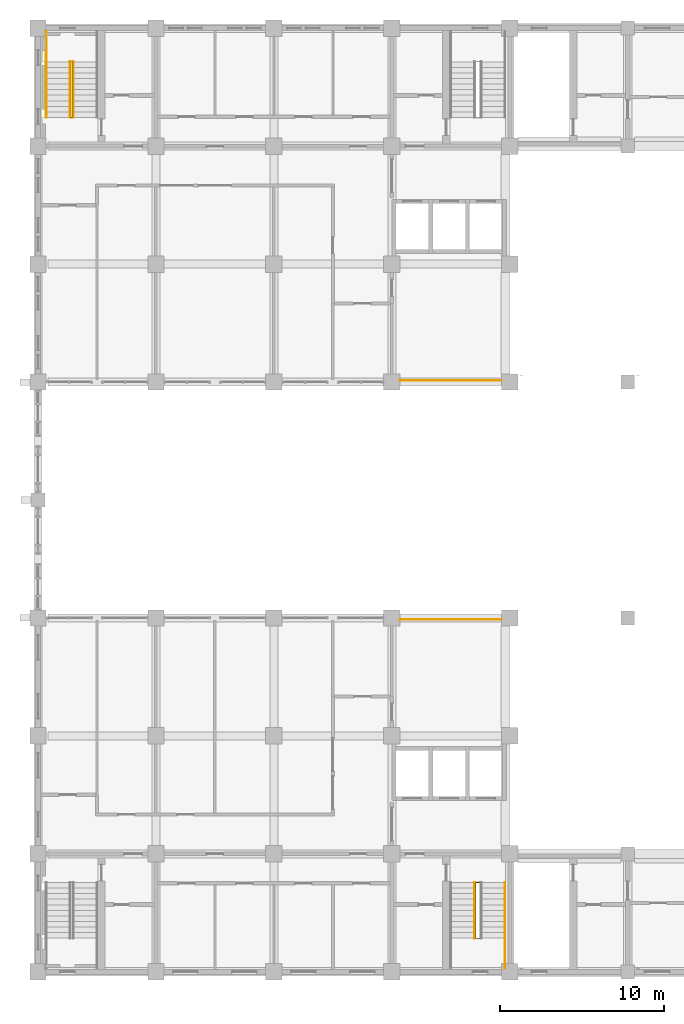
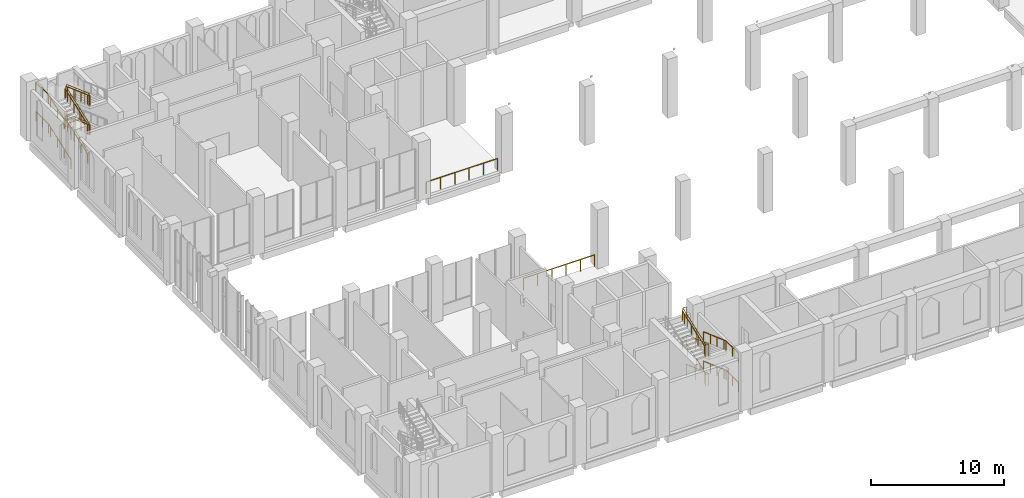
# One storey, part 45 of 48: 13 railings.
"""IFC4 building model written with IfcOpenShell, lengths in metres."""

from ifc_helpers import new_model, si_unit, direction, frame, origin, origin_2d, place, context, subcontext, project, spatial, circle, extrude, material, type_object, element, save


model = new_model("IFC4")

# Units and contexts
model_context = context("Model", 3, precision=1e-05, world=origin(), true_north=direction((0.0, 1.0)))
body_context = subcontext(model_context, "Body", "Model", "MODEL_VIEW")
ifc_project = project(units=[si_unit("LENGTHUNIT", "METRE"), si_unit("AREAUNIT", "SQUARE_METRE"), si_unit("VOLUMEUNIT", "CUBIC_METRE"), si_unit("PLANEANGLEUNIT", "RADIAN"), si_unit("MASSUNIT", "GRAM", prefix="KILO")], contexts=[model_context])

# Site, building, storey
site_placement = place(None, origin())
site = spatial("IfcSite", under=ifc_project, at=site_placement, CompositionType="ELEMENT")
building_placement = place(site_placement, origin())
building = spatial("IfcBuilding", under=site, at=building_placement, Name="Silangan Lancet Faculty of Sciences", CompositionType="ELEMENT")
storey_placement = place(building_placement, frame((0.0, 0.0, 6.0)))
storey = spatial("IfcBuildingStorey", under=building, at=storey_placement, Name="L01", CompositionType="ELEMENT", Elevation=6.0)

# Railings
ifc_material_1 = material(Name="Steel balustrade", Category="steel")
railing_type_1 = type_object("IfcRailingType", Name="ATRIUM GUARD 1100", PredefinedType="GUARDRAIL", material=ifc_material_1)
for number, where, name in (
    (1, (22.10009765625, 21.5, 0.0), "GUARD-ATR-L01-S1"),
    (2, (22.10009765625, 36.10009765625, 0.0), "GUARD-ATR-L01-N2"),
):
    element("IfcRailing", number, at=place(storey_placement, frame(where)), inside=storey, type_object=railing_type_1, Name=name, PredefinedType="GUARDRAIL", context=body_context, shape_type="SweptSolid", body=[
        extrude(circle(Radius=0.02392578125, at=origin_2d()), frame((0.0, 0.0, 1.076171875), z_axis=(1.0, 0.0, 0.0), x_axis=(0.0, 1.0, 0.0)), (0.0, 0.0, 1.0), 6.199951171875),
        extrude(circle(Radius=0.02099609375, at=origin_2d()), origin(), (0.0, 0.0, 1.0), 1.052001953125),
        extrude(circle(Radius=0.02099609375, at=origin_2d()), frame((1.239990234375, 0.0, 0.0)), (0.0, 0.0, 1.0), 1.052001953125),
        extrude(circle(Radius=0.02099609375, at=origin_2d()), frame((2.47998046875, 0.0, 0.0)), (0.0, 0.0, 1.0), 1.052001953125),
        extrude(circle(Radius=0.02099609375, at=origin_2d()), frame((3.719970703125, 0.0, 0.0)), (0.0, 0.0, 1.0), 1.052001953125),
        extrude(circle(Radius=0.02099609375, at=origin_2d()), frame((4.9599609375, 0.0, 0.0)), (0.0, 0.0, 1.0), 1.052001953125),
        extrude(circle(Radius=0.02099609375, at=origin_2d()), frame((6.199951171875, 0.0, 0.0)), (0.0, 0.0, 1.0), 1.052001953125),
    ])
ifc_material_2 = material(Name="Steel balustrade", Category="steel")
railing_type_2 = type_object("IfcRailingType", Name="STAIR GUARD 1100", PredefinedType="GUARDRAIL", material=ifc_material_2)
railing_1_placement = place(storey_placement, frame((2.0, 52.14990234375, 0.122802734375)))
element("IfcRailing", 3, at=railing_1_placement, inside=storey, type_object=railing_type_2, Name="GUARD-NT-A-L01", PredefinedType="GUARDRAIL", context=body_context, shape_type="SweptSolid", body=[
    extrude(circle(Radius=0.02392578125, at=origin_2d()), frame((0.0, 0.0, 1.076171875), z_axis=(0.0, 0.940621302891, 0.339457750756), x_axis=(-1.0, 0.0, 0.0)), (0.0, 0.0, 1.0), 2.891845703125),
    extrude(circle(Radius=0.02392578125, at=origin_2d()), frame((0.0, 2.72021484375, 2.0576171875), z_axis=(0.0, 0.940520931127, 0.339735747474), x_axis=(-1.0, 0.0, 0.0)), (0.0, 0.0, 1.0), 0.722900390625),
    extrude(circle(Radius=0.02392578125, at=origin_2d()), frame((0.0, 3.400146484375, 2.30322265625), z_axis=(1.0, 0.0, 0.0), x_axis=(0.0, 1.0, 0.0)), (0.0, 0.0, 1.0), 0.10009765625),
    extrude(circle(Radius=0.02392578125, at=origin_2d()), frame((0.10009765625, 3.400146484375, 2.30322265625), z_axis=(0.0, 0.0, 1.0), x_axis=(1.0, 0.0, 0.0)), (0.0, 0.0, 1.0), 0.12255859375),
    extrude(circle(Radius=0.02392578125, at=origin_2d()), frame((0.10009765625, 3.400146484375, 2.42578125), z_axis=(0.0, -0.940584611748, 0.339559402967), x_axis=(1.0, 0.0, 0.0)), (0.0, 0.0, 1.0), 2.891845703125),
    extrude(circle(Radius=0.02392578125, at=origin_2d()), frame((0.10009765625, 0.68017578125, 3.40771484375), z_axis=(0.0, -0.940667699839, 0.33932915949), x_axis=(1.0, 0.0, 0.0)), (0.0, 0.0, 1.0), 0.72314453125),
    extrude(circle(Radius=0.02392578125, at=origin_2d()), frame((0.10009765625, 0.0, 3.6533203125), z_axis=(-1.0, 0.0, 0.0), x_axis=(0.0, -1.0, 0.0)), (0.0, 0.0, 1.0), 0.10009765625),
    extrude(circle(Radius=0.02392578125, at=origin_2d()), frame((0.0, 0.0, 3.6533203125), z_axis=(0.0, 0.0, 1.0), x_axis=(1.0, 0.0, 0.0)), (0.0, 0.0, 1.0), 0.122802734375),
    extrude(circle(Radius=0.02392578125, at=origin_2d()), frame((0.0, 0.0, 3.77587890625), z_axis=(0.0, 0.940621302891, 0.339457750756), x_axis=(-1.0, 0.0, 0.0)), (0.0, 0.0, 1.0), 2.891845703125),
    extrude(circle(Radius=0.02392578125, at=origin_2d()), frame((0.0, 2.72021484375, 4.7578125), z_axis=(0.0, 0.940520931127, 0.339735747474), x_axis=(-1.0, 0.0, 0.0)), (0.0, 0.0, 1.0), 0.722900390625),
    extrude(circle(Radius=0.02392578125, at=origin_2d()), frame((0.0, 3.400146484375, 5.00341796875), z_axis=(1.0, 0.0, 0.0), x_axis=(0.0, 1.0, 0.0)), (0.0, 0.0, 1.0), 0.10009765625),
    extrude(circle(Radius=0.02392578125, at=origin_2d()), frame((0.10009765625, 3.400146484375, 5.00341796875), z_axis=(0.0, 0.0, 1.0), x_axis=(1.0, 0.0, 0.0)), (0.0, 0.0, 1.0), 0.12255859375),
    extrude(circle(Radius=0.02392578125, at=origin_2d()), frame((0.10009765625, 3.400146484375, 5.1259765625), z_axis=(0.0, -0.940584611748, 0.339559402967), x_axis=(1.0, 0.0, 0.0)), (0.0, 0.0, 1.0), 2.891845703125),
    extrude(circle(Radius=0.02392578125, at=origin_2d()), frame((0.10009765625, 0.68017578125, 6.10791015625), z_axis=(0.0, -0.940667699839, 0.33932915949), x_axis=(1.0, 0.0, 0.0)), (0.0, 0.0, 1.0), 0.72314453125),
    extrude(circle(Radius=0.02392578125, at=origin_2d()), frame((0.10009765625, 0.0, 6.35302734375), z_axis=(-1.0, 0.0, 0.0), x_axis=(0.0, -1.0, 0.0)), (0.0, 0.0, 1.0), 0.10009765625),
    extrude(circle(Radius=0.02099609375, at=origin_2d()), origin(), (0.0, 0.0, 1.0), 1.052001953125),
    extrude(circle(Radius=0.02099609375, at=origin_2d()), frame((0.0, 1.360107421875, 0.49072265625)), (0.0, 0.0, 1.0), 1.052001953125),
    extrude(circle(Radius=0.02099609375, at=origin_2d()), frame((0.0, 2.72021484375, 0.981689453125)), (0.0, 0.0, 1.0), 1.052001953125),
    extrude(circle(Radius=0.02099609375, at=origin_2d()), frame((0.0, 3.400146484375, 1.227294921875)), (0.0, 0.0, 1.0), 1.052001953125),
    extrude(circle(Radius=0.02099609375, at=origin_2d()), frame((0.10009765625, 3.400146484375, 1.227294921875)), (0.0, 0.0, 1.0), 1.052001953125),
    extrude(circle(Radius=0.02099609375, at=origin_2d()), frame((0.10009765625, 3.400146484375, 1.349853515625)), (0.0, 0.0, 1.0), 1.052001953125),
    extrude(circle(Radius=0.02099609375, at=origin_2d()), frame((0.10009765625, 2.0400390625, 1.8408203125)), (0.0, 0.0, 1.0), 1.052001953125),
    extrude(circle(Radius=0.02099609375, at=origin_2d()), frame((0.10009765625, 0.68017578125, 2.331787109375)), (0.0, 0.0, 1.0), 1.052001953125),
    extrude(circle(Radius=0.02099609375, at=origin_2d()), frame((0.10009765625, 0.0, 2.5771484375)), (0.0, 0.0, 1.0), 1.052001953125),
    extrude(circle(Radius=0.02099609375, at=origin_2d()), frame((0.0, 0.0, 2.5771484375)), (0.0, 0.0, 1.0), 1.052001953125),
    extrude(circle(Radius=0.02099609375, at=origin_2d()), frame((0.0, 0.0, 2.699951171875)), (0.0, 0.0, 1.0), 1.052001953125),
    extrude(circle(Radius=0.02099609375, at=origin_2d()), frame((0.0, 1.360107421875, 3.19091796875)), (0.0, 0.0, 1.0), 1.052001953125),
    extrude(circle(Radius=0.02099609375, at=origin_2d()), frame((0.0, 2.72021484375, 3.681640625)), (0.0, 0.0, 1.0), 1.052001953125),
    extrude(circle(Radius=0.02099609375, at=origin_2d()), frame((0.0, 3.400146484375, 3.92724609375)), (0.0, 0.0, 1.0), 1.052001953125),
    extrude(circle(Radius=0.02099609375, at=origin_2d()), frame((0.10009765625, 3.400146484375, 3.92724609375)), (0.0, 0.0, 1.0), 1.052001953125),
    extrude(circle(Radius=0.02099609375, at=origin_2d()), frame((0.10009765625, 3.400146484375, 4.0498046875)), (0.0, 0.0, 1.0), 1.052001953125),
    extrude(circle(Radius=0.02099609375, at=origin_2d()), frame((0.10009765625, 2.0400390625, 4.540771484375)), (0.0, 0.0, 1.0), 1.052001953125),
    extrude(circle(Radius=0.02099609375, at=origin_2d()), frame((0.10009765625, 0.68017578125, 5.03173828125)), (0.0, 0.0, 1.0), 1.052001953125),
    extrude(circle(Radius=0.02099609375, at=origin_2d()), frame((0.10009765625, 0.0, 5.277099609375)), (0.0, 0.0, 1.0), 1.052001953125),
    extrude(circle(Radius=0.02099609375, at=origin_2d()), frame((0.0, 0.0, 5.277099609375)), (0.0, 0.0, 1.0), 1.052001953125),
])
railing_2_placement = place(storey_placement, frame((27.0, 5.449951171875, 0.122802734375)))
element("IfcRailing", 4, at=railing_2_placement, inside=storey, type_object=railing_type_2, Name="GUARD-ST-B-L01", PredefinedType="GUARDRAIL", context=body_context, shape_type="SweptSolid", body=[
    extrude(circle(Radius=0.02392578125, at=origin_2d()), frame((0.0, 0.0, 1.076171875), z_axis=(0.0, -0.940611573742, 0.339484708555), x_axis=(1.0, 0.0, 0.0)), (0.0, 0.0, 1.0), 2.8916015625),
    extrude(circle(Radius=0.02392578125, at=origin_2d()), frame((0.0, -2.719970703125, 2.0576171875), z_axis=(0.0, -0.940520931127, 0.339735747474), x_axis=(1.0, 0.0, 0.0)), (0.0, 0.0, 1.0), 0.722900390625),
    extrude(circle(Radius=0.02392578125, at=origin_2d()), frame((0.0, -3.39990234375, 2.30322265625), z_axis=(-1.0, 0.0, 0.0), x_axis=(0.0, -1.0, 0.0)), (0.0, 0.0, 1.0), 0.300048828125),
    extrude(circle(Radius=0.02392578125, at=origin_2d()), frame((-0.300048828125, -3.39990234375, 2.30322265625), z_axis=(0.0, 0.0, 1.0), x_axis=(1.0, 0.0, 0.0)), (0.0, 0.0, 1.0), 0.12255859375),
    extrude(circle(Radius=0.02392578125, at=origin_2d()), frame((-0.300048828125, -3.39990234375, 2.42578125), z_axis=(0.0, 0.940584611748, 0.339559402967), x_axis=(-1.0, 0.0, 0.0)), (0.0, 0.0, 1.0), 2.891845703125),
    extrude(circle(Radius=0.02392578125, at=origin_2d()), frame((-0.300048828125, -0.679931640625, 3.40771484375), z_axis=(0.0, 0.940628803885, 0.339436965136), x_axis=(-1.0, 0.0, 0.0)), (0.0, 0.0, 1.0), 0.722900390625),
    extrude(circle(Radius=0.02392578125, at=origin_2d()), frame((-0.300048828125, 0.0, 3.6533203125), z_axis=(1.0, 0.0, 0.0), x_axis=(0.0, 1.0, 0.0)), (0.0, 0.0, 1.0), 0.300048828125),
    extrude(circle(Radius=0.02392578125, at=origin_2d()), frame((0.0, 0.0, 3.6533203125), z_axis=(0.0, 0.0, 1.0), x_axis=(1.0, 0.0, 0.0)), (0.0, 0.0, 1.0), 0.122802734375),
    extrude(circle(Radius=0.02392578125, at=origin_2d()), frame((0.0, 0.0, 3.77587890625), z_axis=(0.0, -0.940611573742, 0.339484708555), x_axis=(1.0, 0.0, 0.0)), (0.0, 0.0, 1.0), 2.8916015625),
    extrude(circle(Radius=0.02392578125, at=origin_2d()), frame((0.0, -2.719970703125, 4.7578125), z_axis=(0.0, -0.940520931127, 0.339735747474), x_axis=(1.0, 0.0, 0.0)), (0.0, 0.0, 1.0), 0.722900390625),
    extrude(circle(Radius=0.02392578125, at=origin_2d()), frame((0.0, -3.39990234375, 5.00341796875), z_axis=(-1.0, 0.0, 0.0), x_axis=(0.0, -1.0, 0.0)), (0.0, 0.0, 1.0), 0.300048828125),
    extrude(circle(Radius=0.02392578125, at=origin_2d()), frame((-0.300048828125, -3.39990234375, 5.00341796875), z_axis=(0.0, 0.0, 1.0), x_axis=(1.0, 0.0, 0.0)), (0.0, 0.0, 1.0), 0.12255859375),
    extrude(circle(Radius=0.02392578125, at=origin_2d()), frame((-0.300048828125, -3.39990234375, 5.1259765625), z_axis=(0.0, 0.940584611748, 0.339559402967), x_axis=(-1.0, 0.0, 0.0)), (0.0, 0.0, 1.0), 2.891845703125),
    extrude(circle(Radius=0.02392578125, at=origin_2d()), frame((-0.300048828125, -0.679931640625, 6.10791015625), z_axis=(0.0, 0.940628803885, 0.339436965136), x_axis=(-1.0, 0.0, 0.0)), (0.0, 0.0, 1.0), 0.722900390625),
    extrude(circle(Radius=0.02392578125, at=origin_2d()), frame((-0.300048828125, 0.0, 6.35302734375), z_axis=(1.0, 0.0, 0.0), x_axis=(0.0, 1.0, 0.0)), (0.0, 0.0, 1.0), 0.300048828125),
    extrude(circle(Radius=0.02099609375, at=origin_2d()), origin(), (0.0, 0.0, 1.0), 1.052001953125),
    extrude(circle(Radius=0.02099609375, at=origin_2d()), frame((0.0, -1.35986328125, 0.49072265625)), (0.0, 0.0, 1.0), 1.052001953125),
    extrude(circle(Radius=0.02099609375, at=origin_2d()), frame((0.0, -2.719970703125, 0.981689453125)), (0.0, 0.0, 1.0), 1.052001953125),
    extrude(circle(Radius=0.02099609375, at=origin_2d()), frame((0.0, -3.39990234375, 1.227294921875)), (0.0, 0.0, 1.0), 1.052001953125),
    extrude(circle(Radius=0.02099609375, at=origin_2d()), frame((-0.300048828125, -3.39990234375, 1.227294921875)), (0.0, 0.0, 1.0), 1.052001953125),
    extrude(circle(Radius=0.02099609375, at=origin_2d()), frame((-0.300048828125, -3.39990234375, 1.349853515625)), (0.0, 0.0, 1.0), 1.052001953125),
    extrude(circle(Radius=0.02099609375, at=origin_2d()), frame((-0.300048828125, -2.0400390625, 1.8408203125)), (0.0, 0.0, 1.0), 1.052001953125),
    extrude(circle(Radius=0.02099609375, at=origin_2d()), frame((-0.300048828125, -0.679931640625, 2.331787109375)), (0.0, 0.0, 1.0), 1.052001953125),
    extrude(circle(Radius=0.02099609375, at=origin_2d()), frame((-0.300048828125, 0.0, 2.5771484375)), (0.0, 0.0, 1.0), 1.052001953125),
    extrude(circle(Radius=0.02099609375, at=origin_2d()), frame((0.0, 0.0, 2.5771484375)), (0.0, 0.0, 1.0), 1.052001953125),
    extrude(circle(Radius=0.02099609375, at=origin_2d()), frame((0.0, 0.0, 2.699951171875)), (0.0, 0.0, 1.0), 1.052001953125),
    extrude(circle(Radius=0.02099609375, at=origin_2d()), frame((0.0, -1.35986328125, 3.19091796875)), (0.0, 0.0, 1.0), 1.052001953125),
    extrude(circle(Radius=0.02099609375, at=origin_2d()), frame((0.0, -2.719970703125, 3.681640625)), (0.0, 0.0, 1.0), 1.052001953125),
    extrude(circle(Radius=0.02099609375, at=origin_2d()), frame((0.0, -3.39990234375, 3.92724609375)), (0.0, 0.0, 1.0), 1.052001953125),
    extrude(circle(Radius=0.02099609375, at=origin_2d()), frame((-0.300048828125, -3.39990234375, 3.92724609375)), (0.0, 0.0, 1.0), 1.052001953125),
    extrude(circle(Radius=0.02099609375, at=origin_2d()), frame((-0.300048828125, -3.39990234375, 4.0498046875)), (0.0, 0.0, 1.0), 1.052001953125),
    extrude(circle(Radius=0.02099609375, at=origin_2d()), frame((-0.300048828125, -2.0400390625, 4.540771484375)), (0.0, 0.0, 1.0), 1.052001953125),
    extrude(circle(Radius=0.02099609375, at=origin_2d()), frame((-0.300048828125, -0.679931640625, 5.03173828125)), (0.0, 0.0, 1.0), 1.052001953125),
    extrude(circle(Radius=0.02099609375, at=origin_2d()), frame((-0.300048828125, 0.0, 5.277099609375)), (0.0, 0.0, 1.0), 1.052001953125),
    extrude(circle(Radius=0.02099609375, at=origin_2d()), frame((0.0, 0.0, 5.277099609375)), (0.0, 0.0, 1.0), 1.052001953125),
])
ifc_material_3 = material(Name="Stainless steel", Category="steel")
railing_type_3 = type_object("IfcRailingType", Name="STAIR HANDRAIL 865", PredefinedType="HANDRAIL", material=ifc_material_3)
railing_3_placement = place(storey_placement, frame((0.5, 52.14990234375, 0.122802734375)))
element("IfcRailing", 5, at=railing_3_placement, inside=storey, type_object=railing_type_3, Name="HANDRAIL-NT-A-L01-O1", PredefinedType="HANDRAIL", context=body_context, shape_type="SweptSolid", body=[
    extrude(circle(Radius=0.02392578125, at=origin_2d()), frame((0.0, 0.0, 0.8408203125), z_axis=(0.0, 0.94060583065, 0.339500620541), x_axis=(-1.0, 0.0, 0.0)), (0.0, 0.0, 1.0), 1.08447265625),
    extrude(circle(Radius=0.02392578125, at=origin_2d()), frame((0.0, 1.02001953125, 1.208984375), z_axis=(0.0, 0.94060583065, 0.339500620541), x_axis=(-1.0, 0.0, 0.0)), (0.0, 0.0, 1.0), 1.08447265625),
    extrude(circle(Radius=0.02392578125, at=origin_2d()), frame((0.0, 2.0400390625, 1.5771484375), z_axis=(0.0, 0.94060583065, 0.339500620541), x_axis=(-1.0, 0.0, 0.0)), (0.0, 0.0, 1.0), 1.08447265625),
    extrude(circle(Radius=0.02392578125, at=origin_2d()), frame((0.0, 3.06005859375, 1.9453125), z_axis=(0.0, 0.940559891121, 0.339627871668), x_axis=(-1.0, 0.0, 0.0)), (0.0, 0.0, 1.0), 0.361572265625),
    extrude(circle(Radius=0.02392578125, at=origin_2d()), frame((0.0, 3.400146484375, 2.068359375), z_axis=(0.0, 1.0, 0.0), x_axis=(-1.0, 0.0, 0.0)), (0.0, 0.0, 1.0), 1.849853515625),
    extrude(circle(Radius=0.02099609375, at=origin_2d()), origin(), (0.0, 0.0, 1.0), 0.81689453125),
    extrude(circle(Radius=0.02099609375, at=origin_2d()), frame((0.0, 1.02001953125, 0.3681640625)), (0.0, 0.0, 1.0), 0.81689453125),
    extrude(circle(Radius=0.02099609375, at=origin_2d()), frame((0.0, 2.0400390625, 0.736328125)), (0.0, 0.0, 1.0), 0.81689453125),
    extrude(circle(Radius=0.02099609375, at=origin_2d()), frame((0.0, 3.06005859375, 1.1044921875)), (0.0, 0.0, 1.0), 0.81689453125),
    extrude(circle(Radius=0.02099609375, at=origin_2d()), frame((0.0, 3.400146484375, 1.227294921875)), (0.0, 0.0, 1.0), 0.81689453125),
    extrude(circle(Radius=0.02099609375, at=origin_2d()), frame((0.0, 4.3251953125, 1.227294921875)), (0.0, 0.0, 1.0), 0.81689453125),
    extrude(circle(Radius=0.02099609375, at=origin_2d()), frame((0.0, 5.25, 1.227294921875)), (0.0, 0.0, 1.0), 0.81689453125),
])
railing_4_placement = place(storey_placement, frame((1.949951171875, 52.14990234375, 0.122802734375)))
element("IfcRailing", 6, at=railing_4_placement, inside=storey, type_object=railing_type_3, Name="HANDRAIL-NT-A-L01-I1", PredefinedType="HANDRAIL", context=body_context, shape_type="SweptSolid", body=[
    extrude(circle(Radius=0.02392578125, at=origin_2d()), frame((0.0, 0.0, 0.8408203125), z_axis=(0.0, 0.94060583065, 0.339500620541), x_axis=(-1.0, 0.0, 0.0)), (0.0, 0.0, 1.0), 1.08447265625),
    extrude(circle(Radius=0.02392578125, at=origin_2d()), frame((0.0, 1.02001953125, 1.208984375), z_axis=(0.0, 0.94060583065, 0.339500620541), x_axis=(-1.0, 0.0, 0.0)), (0.0, 0.0, 1.0), 1.08447265625),
    extrude(circle(Radius=0.02392578125, at=origin_2d()), frame((0.0, 2.0400390625, 1.5771484375), z_axis=(0.0, 0.94060583065, 0.339500620541), x_axis=(-1.0, 0.0, 0.0)), (0.0, 0.0, 1.0), 1.08447265625),
    extrude(circle(Radius=0.02392578125, at=origin_2d()), frame((0.0, 3.06005859375, 1.9453125), z_axis=(0.0, 0.940559891121, 0.339627871668), x_axis=(-1.0, 0.0, 0.0)), (0.0, 0.0, 1.0), 0.361572265625),
    extrude(circle(Radius=0.02099609375, at=origin_2d()), origin(), (0.0, 0.0, 1.0), 0.81689453125),
    extrude(circle(Radius=0.02099609375, at=origin_2d()), frame((0.0, 1.02001953125, 0.3681640625)), (0.0, 0.0, 1.0), 0.81689453125),
    extrude(circle(Radius=0.02099609375, at=origin_2d()), frame((0.0, 2.0400390625, 0.736328125)), (0.0, 0.0, 1.0), 0.81689453125),
    extrude(circle(Radius=0.02099609375, at=origin_2d()), frame((0.0, 3.06005859375, 1.1044921875)), (0.0, 0.0, 1.0), 0.81689453125),
    extrude(circle(Radius=0.02099609375, at=origin_2d()), frame((0.0, 3.400146484375, 1.227294921875)), (0.0, 0.0, 1.0), 0.81689453125),
])
railing_5_placement = place(storey_placement, frame((2.14990234375, 55.550048828125, 1.47265625)))
element("IfcRailing", 7, at=railing_5_placement, inside=storey, type_object=railing_type_3, Name="HANDRAIL-NT-A-L01-I2", PredefinedType="HANDRAIL", context=body_context, shape_type="SweptSolid", body=[
    extrude(circle(Radius=0.02392578125, at=origin_2d()), frame((0.0, 0.0, 0.8408203125), z_axis=(0.0, -0.94060583065, 0.339500620541), x_axis=(1.0, 0.0, 0.0)), (0.0, 0.0, 1.0), 1.08447265625),
    extrude(circle(Radius=0.02392578125, at=origin_2d()), frame((0.0, -1.02001953125, 1.208984375), z_axis=(0.0, -0.94060583065, 0.339500620541), x_axis=(1.0, 0.0, 0.0)), (0.0, 0.0, 1.0), 1.08447265625),
    extrude(circle(Radius=0.02392578125, at=origin_2d()), frame((0.0, -2.0400390625, 1.5771484375), z_axis=(0.0, -0.940533921917, 0.339699781755), x_axis=(1.0, 0.0, 0.0)), (0.0, 0.0, 1.0), 1.08447265625),
    extrude(circle(Radius=0.02392578125, at=origin_2d()), frame((0.0, -3.06005859375, 1.94580078125), z_axis=(0.0, -0.940775438362, 0.339030344622), x_axis=(1.0, 0.0, 0.0)), (0.0, 0.0, 1.0), 0.361572265625),
    extrude(circle(Radius=0.02099609375, at=origin_2d()), origin(), (0.0, 0.0, 1.0), 0.81689453125),
    extrude(circle(Radius=0.02099609375, at=origin_2d()), frame((0.0, -1.02001953125, 0.3681640625)), (0.0, 0.0, 1.0), 0.81689453125),
    extrude(circle(Radius=0.02099609375, at=origin_2d()), frame((0.0, -2.0400390625, 0.736328125)), (0.0, 0.0, 1.0), 0.81689453125),
    extrude(circle(Radius=0.02099609375, at=origin_2d()), frame((0.0, -3.06005859375, 1.104736328125)), (0.0, 0.0, 1.0), 0.81689453125),
    extrude(circle(Radius=0.02099609375, at=origin_2d()), frame((0.0, -3.400146484375, 1.227294921875)), (0.0, 0.0, 1.0), 0.81689453125),
])
railing_6_placement = place(storey_placement, frame((0.5, 52.14990234375, 2.82275390625)))
element("IfcRailing", 8, at=railing_6_placement, inside=storey, type_object=railing_type_3, Name="HANDRAIL-NT-A-L01-O3", PredefinedType="HANDRAIL", context=body_context, shape_type="SweptSolid", body=[
    extrude(circle(Radius=0.02392578125, at=origin_2d()), frame((0.0, 0.0, 0.8408203125), z_axis=(0.0, 0.94060583065, 0.339500620541), x_axis=(-1.0, 0.0, 0.0)), (0.0, 0.0, 1.0), 1.08447265625),
    extrude(circle(Radius=0.02392578125, at=origin_2d()), frame((0.0, 1.02001953125, 1.208984375), z_axis=(0.0, 0.94060583065, 0.339500620541), x_axis=(-1.0, 0.0, 0.0)), (0.0, 0.0, 1.0), 1.08447265625),
    extrude(circle(Radius=0.02392578125, at=origin_2d()), frame((0.0, 2.0400390625, 1.5771484375), z_axis=(0.0, 0.94060583065, 0.339500620541), x_axis=(-1.0, 0.0, 0.0)), (0.0, 0.0, 1.0), 1.08447265625),
    extrude(circle(Radius=0.02392578125, at=origin_2d()), frame((0.0, 3.06005859375, 1.9453125), z_axis=(0.0, 0.940559891121, 0.339627871668), x_axis=(-1.0, 0.0, 0.0)), (0.0, 0.0, 1.0), 0.361572265625),
    extrude(circle(Radius=0.02392578125, at=origin_2d()), frame((0.0, 3.400146484375, 2.068359375), z_axis=(0.0, 1.0, 0.0), x_axis=(-1.0, 0.0, 0.0)), (0.0, 0.0, 1.0), 1.849853515625),
    extrude(circle(Radius=0.02099609375, at=origin_2d()), origin(), (0.0, 0.0, 1.0), 0.81689453125),
    extrude(circle(Radius=0.02099609375, at=origin_2d()), frame((0.0, 1.02001953125, 0.3681640625)), (0.0, 0.0, 1.0), 0.81689453125),
    extrude(circle(Radius=0.02099609375, at=origin_2d()), frame((0.0, 2.0400390625, 0.736328125)), (0.0, 0.0, 1.0), 0.81689453125),
    extrude(circle(Radius=0.02099609375, at=origin_2d()), frame((0.0, 3.06005859375, 1.1044921875)), (0.0, 0.0, 1.0), 0.81689453125),
    extrude(circle(Radius=0.02099609375, at=origin_2d()), frame((0.0, 3.400146484375, 1.227294921875)), (0.0, 0.0, 1.0), 0.81689453125),
    extrude(circle(Radius=0.02099609375, at=origin_2d()), frame((0.0, 4.3251953125, 1.227294921875)), (0.0, 0.0, 1.0), 0.81689453125),
    extrude(circle(Radius=0.02099609375, at=origin_2d()), frame((0.0, 5.25, 1.227294921875)), (0.0, 0.0, 1.0), 0.81689453125),
])
railing_7_placement = place(storey_placement, frame((1.949951171875, 52.14990234375, 2.82275390625)))
element("IfcRailing", 9, at=railing_7_placement, inside=storey, type_object=railing_type_3, Name="HANDRAIL-NT-A-L01-I3", PredefinedType="HANDRAIL", context=body_context, shape_type="SweptSolid", body=[
    extrude(circle(Radius=0.02392578125, at=origin_2d()), frame((0.0, 0.0, 0.8408203125), z_axis=(0.0, 0.94060583065, 0.339500620541), x_axis=(-1.0, 0.0, 0.0)), (0.0, 0.0, 1.0), 1.08447265625),
    extrude(circle(Radius=0.02392578125, at=origin_2d()), frame((0.0, 1.02001953125, 1.208984375), z_axis=(0.0, 0.94060583065, 0.339500620541), x_axis=(-1.0, 0.0, 0.0)), (0.0, 0.0, 1.0), 1.08447265625),
    extrude(circle(Radius=0.02392578125, at=origin_2d()), frame((0.0, 2.0400390625, 1.5771484375), z_axis=(0.0, 0.94060583065, 0.339500620541), x_axis=(-1.0, 0.0, 0.0)), (0.0, 0.0, 1.0), 1.08447265625),
    extrude(circle(Radius=0.02392578125, at=origin_2d()), frame((0.0, 3.06005859375, 1.9453125), z_axis=(0.0, 0.940559891121, 0.339627871668), x_axis=(-1.0, 0.0, 0.0)), (0.0, 0.0, 1.0), 0.361572265625),
    extrude(circle(Radius=0.02099609375, at=origin_2d()), origin(), (0.0, 0.0, 1.0), 0.81689453125),
    extrude(circle(Radius=0.02099609375, at=origin_2d()), frame((0.0, 1.02001953125, 0.3681640625)), (0.0, 0.0, 1.0), 0.81689453125),
    extrude(circle(Radius=0.02099609375, at=origin_2d()), frame((0.0, 2.0400390625, 0.736328125)), (0.0, 0.0, 1.0), 0.81689453125),
    extrude(circle(Radius=0.02099609375, at=origin_2d()), frame((0.0, 3.06005859375, 1.1044921875)), (0.0, 0.0, 1.0), 0.81689453125),
    extrude(circle(Radius=0.02099609375, at=origin_2d()), frame((0.0, 3.400146484375, 1.227294921875)), (0.0, 0.0, 1.0), 0.81689453125),
])
railing_8_placement = place(storey_placement, frame((2.14990234375, 55.550048828125, 4.172607421875)))
element("IfcRailing", 10, at=railing_8_placement, inside=storey, type_object=railing_type_3, Name="HANDRAIL-NT-A-L01-I4", PredefinedType="HANDRAIL", context=body_context, shape_type="SweptSolid", body=[
    extrude(circle(Radius=0.02392578125, at=origin_2d()), frame((0.0, 0.0, 0.8408203125), z_axis=(0.0, -0.940533921917, 0.339699781755), x_axis=(1.0, 0.0, 0.0)), (0.0, 0.0, 1.0), 1.08447265625),
    extrude(circle(Radius=0.02392578125, at=origin_2d()), frame((0.0, -1.02001953125, 1.20947265625), z_axis=(0.0, -0.94060583065, 0.339500620541), x_axis=(1.0, 0.0, 0.0)), (0.0, 0.0, 1.0), 1.08447265625),
    extrude(circle(Radius=0.02392578125, at=origin_2d()), frame((0.0, -2.0400390625, 1.57763671875), z_axis=(0.0, -0.94060583065, 0.339500620541), x_axis=(1.0, 0.0, 0.0)), (0.0, 0.0, 1.0), 1.08447265625),
    extrude(circle(Radius=0.02392578125, at=origin_2d()), frame((0.0, -3.06005859375, 1.94580078125), z_axis=(0.0, -0.940775438362, 0.339030344622), x_axis=(1.0, 0.0, 0.0)), (0.0, 0.0, 1.0), 0.361572265625),
    extrude(circle(Radius=0.02099609375, at=origin_2d()), origin(), (0.0, 0.0, 1.0), 0.81689453125),
    extrude(circle(Radius=0.02099609375, at=origin_2d()), frame((0.0, -1.02001953125, 0.368408203125)), (0.0, 0.0, 1.0), 0.81689453125),
    extrude(circle(Radius=0.02099609375, at=origin_2d()), frame((0.0, -2.0400390625, 0.736572265625)), (0.0, 0.0, 1.0), 0.81689453125),
    extrude(circle(Radius=0.02099609375, at=origin_2d()), frame((0.0, -3.06005859375, 1.104736328125)), (0.0, 0.0, 1.0), 0.81689453125),
    extrude(circle(Radius=0.02099609375, at=origin_2d()), frame((0.0, -3.400146484375, 1.227294921875)), (0.0, 0.0, 1.0), 0.81689453125),
])
railing_9_placement = place(storey_placement, frame((28.5, 5.449951171875, 0.122802734375)))
element("IfcRailing", 11, at=railing_9_placement, inside=storey, type_object=railing_type_3, Name="HANDRAIL-ST-B-L01-O1", PredefinedType="HANDRAIL", context=body_context, shape_type="SweptSolid", body=[
    extrude(circle(Radius=0.02392578125, at=origin_2d()), frame((0.0, 0.0, 0.8408203125), z_axis=(0.0, -0.94060583065, 0.339500620541), x_axis=(1.0, 0.0, 0.0)), (0.0, 0.0, 1.0), 1.08447265625),
    extrude(circle(Radius=0.02392578125, at=origin_2d()), frame((0.0, -1.02001953125, 1.208984375), z_axis=(0.0, -0.94060583065, 0.339500620541), x_axis=(1.0, 0.0, 0.0)), (0.0, 0.0, 1.0), 1.08447265625),
    extrude(circle(Radius=0.02392578125, at=origin_2d()), frame((0.0, -2.0400390625, 1.5771484375), z_axis=(0.0, -0.94060583065, 0.339500620541), x_axis=(1.0, 0.0, 0.0)), (0.0, 0.0, 1.0), 1.08447265625),
    extrude(circle(Radius=0.02392578125, at=origin_2d()), frame((0.0, -3.06005859375, 1.9453125), z_axis=(0.0, -0.940481933992, 0.339843687355), x_axis=(1.0, 0.0, 0.0)), (0.0, 0.0, 1.0), 0.361328125),
    extrude(circle(Radius=0.02392578125, at=origin_2d()), frame((0.0, -3.39990234375, 2.068359375), z_axis=(0.0, -1.0, 0.0), x_axis=(1.0, 0.0, 0.0)), (0.0, 0.0, 1.0), 1.85009765625),
    extrude(circle(Radius=0.02099609375, at=origin_2d()), origin(), (0.0, 0.0, 1.0), 0.81689453125),
    extrude(circle(Radius=0.02099609375, at=origin_2d()), frame((0.0, -1.02001953125, 0.3681640625)), (0.0, 0.0, 1.0), 0.81689453125),
    extrude(circle(Radius=0.02099609375, at=origin_2d()), frame((0.0, -2.0400390625, 0.736328125)), (0.0, 0.0, 1.0), 0.81689453125),
    extrude(circle(Radius=0.02099609375, at=origin_2d()), frame((0.0, -3.06005859375, 1.1044921875)), (0.0, 0.0, 1.0), 0.81689453125),
    extrude(circle(Radius=0.02099609375, at=origin_2d()), frame((0.0, -3.39990234375, 1.227294921875)), (0.0, 0.0, 1.0), 0.81689453125),
    extrude(circle(Radius=0.02099609375, at=origin_2d()), frame((0.0, -4.324951171875, 1.227294921875)), (0.0, 0.0, 1.0), 0.81689453125),
    extrude(circle(Radius=0.02099609375, at=origin_2d()), frame((0.0, -5.25, 1.227294921875)), (0.0, 0.0, 1.0), 0.81689453125),
])
railing_10_placement = place(storey_placement, frame((28.5, 5.449951171875, 2.82275390625)))
element("IfcRailing", 12, at=railing_10_placement, inside=storey, type_object=railing_type_3, Name="HANDRAIL-ST-B-L01-O3", PredefinedType="HANDRAIL", context=body_context, shape_type="SweptSolid", body=[
    extrude(circle(Radius=0.02392578125, at=origin_2d()), frame((0.0, 0.0, 0.8408203125), z_axis=(0.0, -0.94060583065, 0.339500620541), x_axis=(1.0, 0.0, 0.0)), (0.0, 0.0, 1.0), 1.08447265625),
    extrude(circle(Radius=0.02392578125, at=origin_2d()), frame((0.0, -1.02001953125, 1.208984375), z_axis=(0.0, -0.94060583065, 0.339500620541), x_axis=(1.0, 0.0, 0.0)), (0.0, 0.0, 1.0), 1.08447265625),
    extrude(circle(Radius=0.02392578125, at=origin_2d()), frame((0.0, -2.0400390625, 1.5771484375), z_axis=(0.0, -0.94060583065, 0.339500620541), x_axis=(1.0, 0.0, 0.0)), (0.0, 0.0, 1.0), 1.08447265625),
    extrude(circle(Radius=0.02392578125, at=origin_2d()), frame((0.0, -3.06005859375, 1.9453125), z_axis=(0.0, -0.940481933992, 0.339843687355), x_axis=(1.0, 0.0, 0.0)), (0.0, 0.0, 1.0), 0.361328125),
    extrude(circle(Radius=0.02392578125, at=origin_2d()), frame((0.0, -3.39990234375, 2.068359375), z_axis=(0.0, -1.0, 0.0), x_axis=(1.0, 0.0, 0.0)), (0.0, 0.0, 1.0), 1.85009765625),
    extrude(circle(Radius=0.02099609375, at=origin_2d()), origin(), (0.0, 0.0, 1.0), 0.81689453125),
    extrude(circle(Radius=0.02099609375, at=origin_2d()), frame((0.0, -1.02001953125, 0.3681640625)), (0.0, 0.0, 1.0), 0.81689453125),
    extrude(circle(Radius=0.02099609375, at=origin_2d()), frame((0.0, -2.0400390625, 0.736328125)), (0.0, 0.0, 1.0), 0.81689453125),
    extrude(circle(Radius=0.02099609375, at=origin_2d()), frame((0.0, -3.06005859375, 1.1044921875)), (0.0, 0.0, 1.0), 0.81689453125),
    extrude(circle(Radius=0.02099609375, at=origin_2d()), frame((0.0, -3.39990234375, 1.227294921875)), (0.0, 0.0, 1.0), 0.81689453125),
    extrude(circle(Radius=0.02099609375, at=origin_2d()), frame((0.0, -4.324951171875, 1.227294921875)), (0.0, 0.0, 1.0), 0.81689453125),
    extrude(circle(Radius=0.02099609375, at=origin_2d()), frame((0.0, -5.25, 1.227294921875)), (0.0, 0.0, 1.0), 0.81689453125),
])
railing_11_placement = place(storey_placement, frame((26.64990234375, 2.050048828125, 4.172607421875)))
element("IfcRailing", 13, at=railing_11_placement, inside=storey, type_object=railing_type_3, Name="HANDRAIL-ST-B-L01-I4", PredefinedType="HANDRAIL", context=body_context, shape_type="SweptSolid", body=[
    extrude(circle(Radius=0.02392578125, at=origin_2d()), frame((0.0, 0.0, 0.8408203125), z_axis=(0.0, 0.940533921917, 0.339699781755), x_axis=(-1.0, 0.0, 0.0)), (0.0, 0.0, 1.0), 1.08447265625),
    extrude(circle(Radius=0.02392578125, at=origin_2d()), frame((0.0, 1.02001953125, 1.20947265625), z_axis=(0.0, 0.94060583065, 0.339500620541), x_axis=(-1.0, 0.0, 0.0)), (0.0, 0.0, 1.0), 1.08447265625),
    extrude(circle(Radius=0.02392578125, at=origin_2d()), frame((0.0, 2.0400390625, 1.57763671875), z_axis=(0.0, 0.94060583065, 0.339500620541), x_axis=(-1.0, 0.0, 0.0)), (0.0, 0.0, 1.0), 1.08447265625),
    extrude(circle(Radius=0.02392578125, at=origin_2d()), frame((0.0, 3.06005859375, 1.94580078125), z_axis=(0.0, 0.940697737464, 0.339245879459), x_axis=(-1.0, 0.0, 0.0)), (0.0, 0.0, 1.0), 0.361328125),
    extrude(circle(Radius=0.02099609375, at=origin_2d()), origin(), (0.0, 0.0, 1.0), 0.81689453125),
    extrude(circle(Radius=0.02099609375, at=origin_2d()), frame((0.0, 1.02001953125, 0.368408203125)), (0.0, 0.0, 1.0), 0.81689453125),
    extrude(circle(Radius=0.02099609375, at=origin_2d()), frame((0.0, 2.0400390625, 0.736572265625)), (0.0, 0.0, 1.0), 0.81689453125),
    extrude(circle(Radius=0.02099609375, at=origin_2d()), frame((0.0, 3.06005859375, 1.104736328125)), (0.0, 0.0, 1.0), 0.81689453125),
    extrude(circle(Radius=0.02099609375, at=origin_2d()), frame((0.0, 3.39990234375, 1.227294921875)), (0.0, 0.0, 1.0), 0.81689453125),
])

save(model, "model.ifc")
